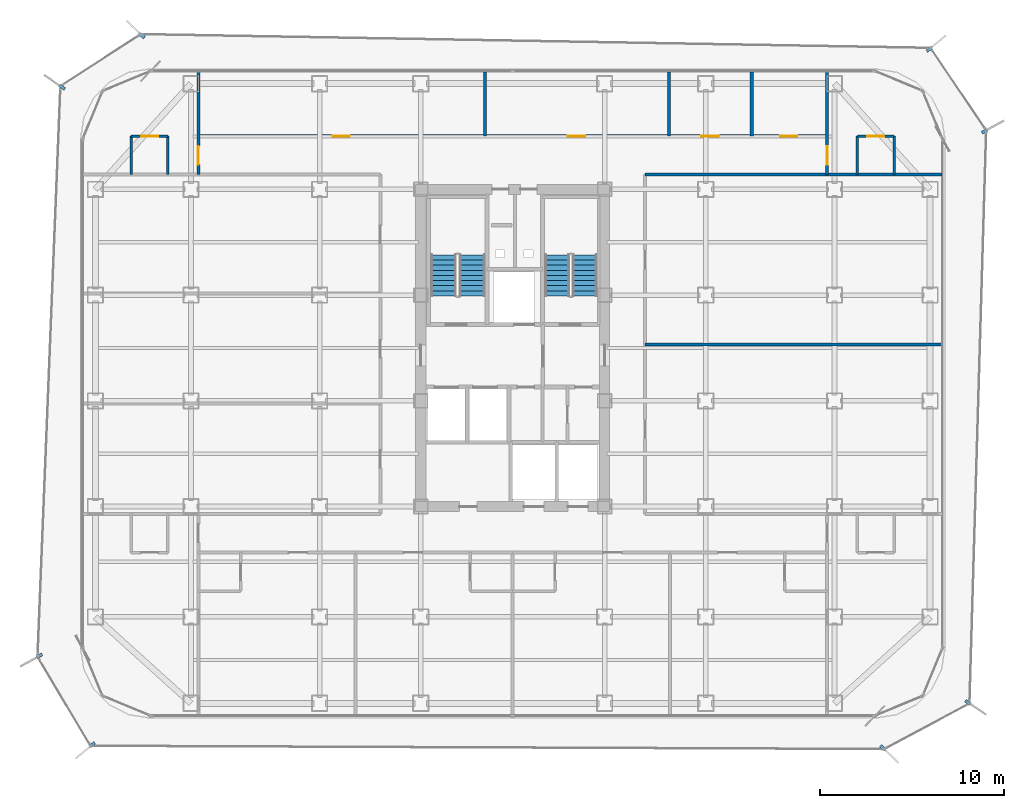
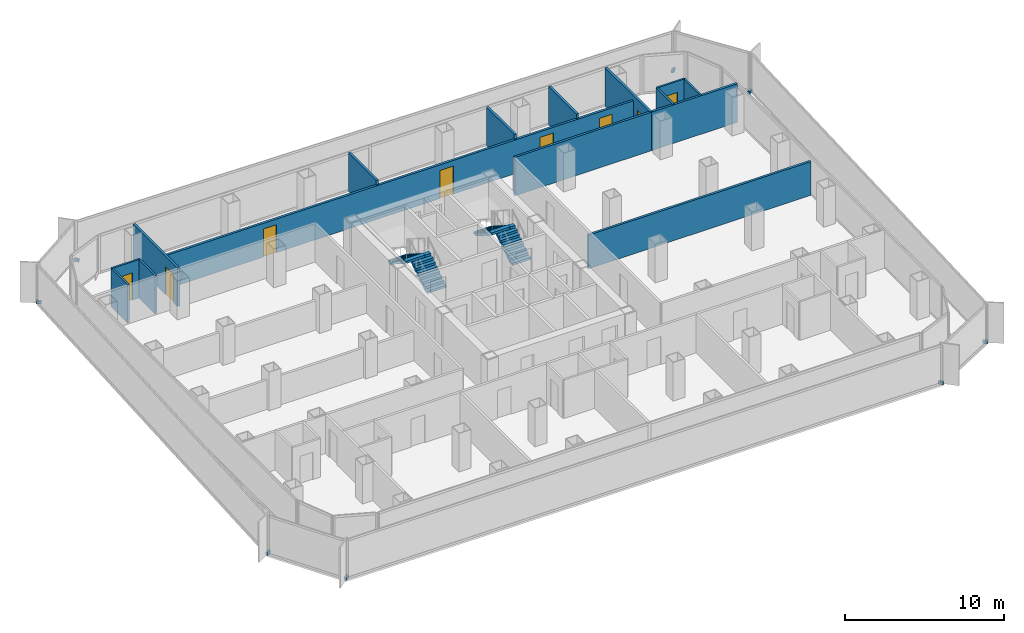
# One storey, part 18 of 21: 15 walls, 8 discrete accessories, 8 doors, 4 stair flights, 8 openings, 2 elements without a shape of their own.
"""IFC4 building model written with IfcOpenShell, lengths in metres."""

from ifc_helpers import new_model, si_unit, direction, frame, frame_2d, origin, origin_2d, place, context, subcontext, project, spatial, polyline, rectangle, outline, extrude, source, transform, mapped, material, layer, layer_set, type_object, element, fill, aggregate, save


model = new_model("IFC4")

# Units and contexts
model_context = context("Model", 3, precision=1e-05, world=origin(), true_north=direction((0.0, 1.0)))
body_context = subcontext(model_context, "Body", "Model", "MODEL_VIEW")
ifc_project = project(units=[si_unit("LENGTHUNIT", "METRE"), si_unit("AREAUNIT", "SQUARE_METRE"), si_unit("VOLUMEUNIT", "CUBIC_METRE"), si_unit("PLANEANGLEUNIT", "RADIAN"), si_unit("MASSUNIT", "GRAM", prefix="KILO")], contexts=[model_context])

# Site, building, storey
site_placement = place(None, origin())
site = spatial("IfcSite", under=ifc_project, at=site_placement, CompositionType="ELEMENT")
building_placement = place(site_placement, origin())
building = spatial("IfcBuilding", under=site, at=building_placement, Name="Kolveth Station Tower", CompositionType="ELEMENT")
storey_placement = place(building_placement, frame((0.0, 0.0, 108.699951171875)))
storey = spatial("IfcBuildingStorey", under=building, at=storey_placement, Name="L29", CompositionType="ELEMENT", Elevation=108.699951171875)

# Walls
ifc_material_1 = material(Name="Moisture-resistant gypsum partition")
ifc_layer_1 = layer(ifc_material_1, 0.135009765625)
ifc_layer_set_1 = layer_set([ifc_layer_1], Name="Moisture-resistant gypsum partition")
wall_type_1 = type_object("IfcWallType", Name="Wall_IW-135", PredefinedType="PARTITIONING", material=ifc_layer_set_1)
for number, where, z_axis, x_axis, name in (
    (1, (2.75, 29.550048828125, 0.0), (0.0, 0.0, 1.0), (0.0, 1.0, 0.0), "L29 Partition Wall WL-L29-WS2-BV1"),
    (2, (4.75, 29.550048828125, 0.0), (0.0, 0.0, 1.0), (0.0, 1.0, 0.0), "L29 Partition Wall WL-L29-WS2-BV2"),
):
    element("IfcWall", number, at=place(storey_placement, frame(where, z_axis=z_axis, x_axis=x_axis)), inside=storey, type_object=wall_type_1, Name=name, PredefinedType="PARTITIONING", context=body_context, shape_type="SweptSolid", body=[
        extrude(rectangle(XDim=2.099853515625, YDim=0.135009765625, at=frame_2d((1.0498046875, 0.0))), origin(), (0.0, 0.0, 1.0), 2.949951171875),
    ])

# Wall, opening, door
wall_1_placement = place(storey_placement, frame((2.75, 31.64990234375, 0.0), z_axis=(0.0, 0.0, 1.0), x_axis=(1.0, 0.0, 0.0)))
wall_1 = element("IfcWall", 3, at=wall_1_placement, inside=storey, type_object=wall_type_1, Name="L29 Partition Wall WL-L29-WS2-BH", PredefinedType="PARTITIONING", context=body_context, shape_type="SweptSolid", body=[
    extrude(rectangle(XDim=2.0, YDim=0.135009765625, at=frame_2d((1.0, 0.0))), origin(), (0.0, 0.0, 1.0), 2.949951171875),
])
opening_1_placement = place(wall_1_placement, frame((0.5400390625, 0.0, 0.0)))
opening_1 = element("IfcOpeningElement", 4, at=opening_1_placement, cuts=wall_1, Name="Opening ID2", PredefinedType="OPENING", context=body_context, shape_type="SweptSolid", body=[
    extrude(rectangle(XDim=0.919921875, YDim=2.10009765625, at=frame_2d((0.4599609375, 1.050048828125))), frame((0.0, 0.077392578125, 0.0), z_axis=(0.0, -1.0, 0.0), x_axis=(1.0, 0.0, 0.0)), (0.0, 0.0, 1.0), 0.155029296875),
])
ifc_material_2 = material(Name="Moisture-resistant hardwood leaf", Category="wood")
door_type_1 = type_object("IfcDoorType", Name="Door_ID2", OperationType="NOTDEFINED", PredefinedType="DOOR", material=ifc_material_2)
door_1_placement = place(opening_1_placement, frame((0.919921875, 0.0, 0.0), z_axis=(0.0, 0.0, 1.0), x_axis=(-1.0, 0.0, 0.0)))
door_1 = element("IfcDoor", 5, at=door_1_placement, inside=storey, type_object=door_type_1, Name="L29 Hotel Guest Room WS2 En-Suite Door", OperationType="SINGLE_SWING_RIGHT", OverallHeight=2.10009765625, OverallWidth=0.919921875, PredefinedType="DOOR", context=body_context, shape_type="SweptSolid", body=[
    extrude(rectangle(XDim=0.919921875, YDim=2.10009765625, at=frame_2d((0.4599609375, 1.050048828125))), frame((0.0, 0.02490234375, 0.0), z_axis=(0.0, -1.0, 0.0), x_axis=(1.0, 0.0, 0.0)), (0.0, 0.0, 1.0), 0.050048828125),
])
fill(opening_1, door_1)

# Walls
for number, where, z_axis, x_axis, name in (
    (6, (42.25, 29.550048828125, 0.0), (0.0, 0.0, 1.0), (0.0, 1.0, 0.0), "L29 Partition Wall WL-L29-ES2-BV1"),
    (7, (44.25, 29.550048828125, 0.0), (0.0, 0.0, 1.0), (0.0, 1.0, 0.0), "L29 Partition Wall WL-L29-ES2-BV2"),
):
    element("IfcWall", number, at=place(storey_placement, frame(where, z_axis=z_axis, x_axis=x_axis)), inside=storey, type_object=wall_type_1, Name=name, PredefinedType="PARTITIONING", context=body_context, shape_type="SweptSolid", body=[
        extrude(rectangle(XDim=2.099853515625, YDim=0.135009765625, at=frame_2d((1.0498046875, 0.0))), origin(), (0.0, 0.0, 1.0), 2.949951171875),
    ])

# Wall, opening, door
wall_2_placement = place(storey_placement, frame((42.25, 31.64990234375, 0.0), z_axis=(0.0, 0.0, 1.0), x_axis=(1.0, 0.0, 0.0)))
wall_2 = element("IfcWall", 8, at=wall_2_placement, inside=storey, type_object=wall_type_1, Name="L29 Partition Wall WL-L29-ES2-BH", PredefinedType="PARTITIONING", context=body_context, shape_type="SweptSolid", body=[
    extrude(rectangle(XDim=2.0, YDim=0.135009765625, at=frame_2d((1.0, 0.0))), origin(), (0.0, 0.0, 1.0), 2.949951171875),
])
opening_2_placement = place(wall_2_placement, frame((0.5400390625, 0.0, 0.0)))
opening_2 = element("IfcOpeningElement", 9, at=opening_2_placement, cuts=wall_2, Name="Opening ID2", PredefinedType="OPENING", context=body_context, shape_type="SweptSolid", body=[
    extrude(rectangle(XDim=0.919921875, YDim=2.10009765625, at=frame_2d((0.4599609375, 1.050048828125))), frame((0.0, 0.077392578125, 0.0), z_axis=(0.0, -1.0, 0.0), x_axis=(1.0, 0.0, 0.0)), (0.0, 0.0, 1.0), 0.155029296875),
])
door_2_placement = place(opening_2_placement, frame((0.919921875, 0.0, 0.0), z_axis=(0.0, 0.0, 1.0), x_axis=(-1.0, 0.0, 0.0)))
door_2 = element("IfcDoor", 10, at=door_2_placement, inside=storey, type_object=door_type_1, Name="L29 Hotel Guest Room ES2 En-Suite Door", OperationType="SINGLE_SWING_RIGHT", OverallHeight=2.10009765625, OverallWidth=0.919921875, PredefinedType="DOOR", context=body_context, shape_type="SweptSolid", body=[
    extrude(rectangle(XDim=0.919921875, YDim=2.10009765625, at=frame_2d((0.4599609375, 1.050048828125))), frame((0.0, 0.02490234375, 0.0), z_axis=(0.0, -1.0, 0.0), x_axis=(1.0, 0.0, 0.0)), (0.0, 0.0, 1.0), 0.050048828125),
])
fill(opening_2, door_2)

# Wall, openings, doors
ifc_material_3 = material(Name="Acoustic double-stud gypsum partition")
ifc_layer_2 = layer(ifc_material_3, 0.1650390625)
ifc_layer_set_2 = layer_set([ifc_layer_2], Name="Acoustic double-stud gypsum partition")
wall_type_2 = type_object("IfcWallType", Name="Wall_IW-165", PredefinedType="PARTITIONING", material=ifc_layer_set_2)
wall_3_placement = place(storey_placement, frame((6.39990234375, 31.64990234375, 0.0), z_axis=(0.0, 0.0, 1.0), x_axis=(1.0, 0.0, 0.0)))
wall_3 = element("IfcWall", 11, at=wall_3_placement, inside=storey, type_object=wall_type_2, Name="L29 Partition Wall WL-L29-HN", PredefinedType="PARTITIONING", context=body_context, shape_type="SweptSolid", body=[
    extrude(rectangle(XDim=34.2001953125, YDim=0.1650390625, at=frame_2d((17.10009765625, 0.0))), origin(), (0.0, 0.0, 1.0), 2.5830078125),
])
opening_3_placement = place(wall_3_placement, frame((7.300048828125, 0.0, 0.0)))
opening_3 = element("IfcOpeningElement", 12, at=opening_3_placement, cuts=wall_3, Name="Opening ID1", PredefinedType="OPENING", context=body_context, shape_type="SweptSolid", body=[
    extrude(rectangle(XDim=0.949951171875, YDim=2.14990234375, at=frame_2d((0.47509765625, 1.074951171875))), frame((0.0, 0.092529296875, 0.0), z_axis=(0.0, -1.0, 0.0), x_axis=(1.0, 0.0, 0.0)), (0.0, 0.0, 1.0), 0.18505859375),
])
opening_4_placement = place(wall_3_placement, frame((20.10009765625, 0.0, 0.0)))
opening_4 = element("IfcOpeningElement", 13, at=opening_4_placement, cuts=wall_3, Name="Opening ID1", PredefinedType="OPENING", context=body_context, shape_type="SweptSolid", body=[
    extrude(rectangle(XDim=0.949951171875, YDim=2.14990234375, at=frame_2d((0.47509765625, 1.074951171875))), frame((0.0, 0.092529296875, 0.0), z_axis=(0.0, -1.0, 0.0), x_axis=(1.0, 0.0, 0.0)), (0.0, 0.0, 1.0), 0.18505859375),
])
opening_5_placement = place(wall_3_placement, frame((27.35009765625, 0.0, 0.0)))
opening_5 = element("IfcOpeningElement", 14, at=opening_5_placement, cuts=wall_3, Name="Opening ID1", PredefinedType="OPENING", context=body_context, shape_type="SweptSolid", body=[
    extrude(rectangle(XDim=0.949951171875, YDim=2.14990234375, at=frame_2d((0.47509765625, 1.074951171875))), frame((0.0, 0.092529296875, 0.0), z_axis=(0.0, -1.0, 0.0), x_axis=(1.0, 0.0, 0.0)), (0.0, 0.0, 1.0), 0.18505859375),
])
opening_6_placement = place(wall_3_placement, frame((31.64990234375, 0.0, 0.0)))
opening_6 = element("IfcOpeningElement", 15, at=opening_6_placement, cuts=wall_3, Name="Opening ID2", PredefinedType="OPENING", context=body_context, shape_type="SweptSolid", body=[
    extrude(rectangle(XDim=0.919921875, YDim=2.10009765625, at=frame_2d((0.4599609375, 1.050048828125))), frame((0.0, 0.092529296875, 0.0), z_axis=(0.0, -1.0, 0.0), x_axis=(1.0, 0.0, 0.0)), (0.0, 0.0, 1.0), 0.18505859375),
])
ifc_material_4 = material(Name="Acoustic hardwood leaf and aluminium frame", Category="wood")
door_type_2 = type_object("IfcDoorType", Name="Door_ID1", OperationType="NOTDEFINED", PredefinedType="DOOR", material=ifc_material_4)
door_3_placement = place(opening_3_placement, origin())
door_3 = element("IfcDoor", 16, at=door_3_placement, inside=storey, type_object=door_type_2, Name="L29 North Sky Observation Lounge Door", OperationType="SINGLE_SWING_RIGHT", OverallHeight=2.14990234375, OverallWidth=0.949951171875, PredefinedType="DOOR", context=body_context, shape_type="SweptSolid", body=[
    extrude(rectangle(XDim=0.949951171875, YDim=2.14990234375, at=frame_2d((0.47509765625, 1.074951171875))), frame((0.0, 0.02490234375, 0.0), z_axis=(0.0, -1.0, 0.0), x_axis=(1.0, 0.0, 0.0)), (0.0, 0.0, 1.0), 0.050048828125),
])
fill(opening_3, door_3)
door_4_placement = place(opening_4_placement, origin())
door_4 = element("IfcDoor", 17, at=door_4_placement, inside=storey, type_object=door_type_2, Name="L29 Floor Service Pantry Door", OperationType="SINGLE_SWING_LEFT", OverallHeight=2.14990234375, OverallWidth=0.949951171875, PredefinedType="DOOR", context=body_context, shape_type="SweptSolid", body=[
    extrude(rectangle(XDim=0.949951171875, YDim=2.14990234375, at=frame_2d((0.47509765625, 1.074951171875))), frame((0.0, 0.02490234375, 0.0), z_axis=(0.0, -1.0, 0.0), x_axis=(1.0, 0.0, 0.0)), (0.0, 0.0, 1.0), 0.050048828125),
])
fill(opening_4, door_4)
door_5_placement = place(opening_5_placement, origin())
door_5 = element("IfcDoor", 18, at=door_5_placement, inside=storey, type_object=door_type_2, Name="L29 Reading Study Door", OperationType="SINGLE_SWING_LEFT", OverallHeight=2.14990234375, OverallWidth=0.949951171875, PredefinedType="DOOR", context=body_context, shape_type="SweptSolid", body=[
    extrude(rectangle(XDim=0.949951171875, YDim=2.14990234375, at=frame_2d((0.47509765625, 1.074951171875))), frame((0.0, 0.02490234375, 0.0), z_axis=(0.0, -1.0, 0.0), x_axis=(1.0, 0.0, 0.0)), (0.0, 0.0, 1.0), 0.050048828125),
])
fill(opening_5, door_5)
door_6_placement = place(opening_6_placement, origin())
door_6 = element("IfcDoor", 19, at=door_6_placement, inside=storey, type_object=door_type_1, Name="L29 Accessible Guest WC Door", OperationType="SINGLE_SWING_LEFT", OverallHeight=2.10009765625, OverallWidth=0.919921875, PredefinedType="DOOR", context=body_context, shape_type="SweptSolid", body=[
    extrude(rectangle(XDim=0.919921875, YDim=2.10009765625, at=frame_2d((0.4599609375, 1.050048828125))), frame((0.0, 0.02490234375, 0.0), z_axis=(0.0, -1.0, 0.0), x_axis=(1.0, 0.0, 0.0)), (0.0, 0.0, 1.0), 0.050048828125),
])
fill(opening_6, door_6)

# Wall
wall_4_placement = place(storey_placement, frame((30.699951171875, 29.550048828125, 0.0), z_axis=(0.0, 0.0, 1.0), x_axis=(1.0, 0.0, 0.0)))
element("IfcWall", 20, at=wall_4_placement, inside=storey, type_object=wall_type_2, Name="L29 Partition Wall WL-L29-HNEB", PredefinedType="PARTITIONING", context=body_context, shape_type="SweptSolid", body=[
    extrude(rectangle(XDim=9.900146484375, YDim=0.1650390625, at=frame_2d((4.9501953125, 0.0))), origin(), (0.0, 0.0, 1.0), 2.949951171875),
])

# Wall, opening, door
wall_5_placement = place(storey_placement, frame((6.39990234375, 29.550048828125, 0.0), z_axis=(0.0, 0.0, 1.0), x_axis=(0.0, 1.0, 0.0)))
wall_5 = element("IfcWall", 21, at=wall_5_placement, inside=storey, type_object=wall_type_2, Name="L29 Partition Wall WL-L29-END-WN", PredefinedType="PARTITIONING", context=body_context, shape_type="SweptSolid", body=[
    extrude(rectangle(XDim=5.58984375, YDim=0.1650390625, at=frame_2d((2.794921875, 0.0))), origin(), (0.0, 0.0, 1.0), 2.949951171875),
])
opening_7_placement = place(wall_5_placement, frame((0.550048828125, 0.0, 0.0)))
opening_7 = element("IfcOpeningElement", 22, at=opening_7_placement, cuts=wall_5, Name="Opening FD3", PredefinedType="OPENING", context=body_context, shape_type="SweptSolid", body=[
    extrude(rectangle(XDim=1.0, YDim=2.14990234375, at=frame_2d((0.5, 1.074951171875))), frame((0.0, 0.092529296875, 0.0), z_axis=(0.0, -1.0, 0.0), x_axis=(1.0, 0.0, 0.0)), (0.0, 0.0, 1.0), 0.18505859375),
])
ifc_material_5 = material(Name="Fire-rated hardwood leaf and aluminium frame", Category="wood")
door_type_3 = type_object("IfcDoorType", Name="Door_FD3", OperationType="NOTDEFINED", PredefinedType="DOOR", material=ifc_material_5)
door_7_placement = place(opening_7_placement, origin())
door_7 = element("IfcDoor", 23, at=door_7_placement, inside=storey, type_object=door_type_3, Name="L29 Hotel Guest Room WS2 Entrance Door", OperationType="SINGLE_SWING_LEFT", OverallHeight=2.14990234375, OverallWidth=1.0, PredefinedType="DOOR", context=body_context, shape_type="SweptSolid", body=[
    extrude(rectangle(XDim=1.0, YDim=2.14990234375, at=frame_2d((0.5, 1.074951171875))), frame((0.0, 0.02490234375, 0.0), z_axis=(0.0, -1.0, 0.0), x_axis=(1.0, 0.0, 0.0)), (0.0, 0.0, 1.0), 0.050048828125),
])
fill(opening_7, door_7)

wall_6_placement = place(storey_placement, frame((40.60009765625, 29.550048828125, 0.0), z_axis=(0.0, 0.0, 1.0), x_axis=(0.0, 1.0, 0.0)))
wall_6 = element("IfcWall", 24, at=wall_6_placement, inside=storey, type_object=wall_type_2, Name="L29 Partition Wall WL-L29-END-EN", PredefinedType="PARTITIONING", context=body_context, shape_type="SweptSolid", body=[
    extrude(rectangle(XDim=5.58984375, YDim=0.1650390625, at=frame_2d((2.794921875, 0.0))), origin(), (0.0, 0.0, 1.0), 2.949951171875),
])
opening_8_placement = place(wall_6_placement, frame((0.550048828125, 0.0, 0.0)))
opening_8 = element("IfcOpeningElement", 25, at=opening_8_placement, cuts=wall_6, Name="Opening FD3", PredefinedType="OPENING", context=body_context, shape_type="SweptSolid", body=[
    extrude(rectangle(XDim=1.0, YDim=2.14990234375, at=frame_2d((0.5, 1.074951171875))), frame((0.0, 0.092529296875, 0.0), z_axis=(0.0, -1.0, 0.0), x_axis=(1.0, 0.0, 0.0)), (0.0, 0.0, 1.0), 0.18505859375),
])
door_8_placement = place(opening_8_placement, frame((1.0, 0.0, 0.0), z_axis=(0.0, 0.0, 1.0), x_axis=(-1.0, 0.0, 0.0)))
door_8 = element("IfcDoor", 26, at=door_8_placement, inside=storey, type_object=door_type_3, Name="L29 Hotel Guest Room ES2 Entrance Door", OperationType="SINGLE_SWING_LEFT", OverallHeight=2.14990234375, OverallWidth=1.0, PredefinedType="DOOR", context=body_context, shape_type="SweptSolid", body=[
    extrude(rectangle(XDim=1.0, YDim=2.14990234375, at=frame_2d((0.5, 1.074951171875))), frame((0.0, 0.02490234375, 0.0), z_axis=(0.0, -1.0, 0.0), x_axis=(1.0, 0.0, 0.0)), (0.0, 0.0, 1.0), 0.050048828125),
])
fill(opening_8, door_8)

# Walls
wall_7_placement = place(storey_placement, frame((40.60009765625, 29.550048828125, 0.0), z_axis=(0.0, 0.0, 1.0), x_axis=(1.0, 0.0, 0.0)))
element("IfcWall", 27, at=wall_7_placement, inside=storey, type_object=wall_type_2, Name="L29 Partition Wall WL-L29-EM2", PredefinedType="PARTITIONING", context=body_context, shape_type="SweptSolid", body=[
    extrude(rectangle(XDim=6.239990234375, YDim=0.1650390625, at=frame_2d((3.1201171875, 0.0))), origin(), (0.0, 0.0, 1.0), 2.949951171875),
])
for number, where, z_axis, x_axis, name in (
    (28, (22.0, 31.64990234375, 0.0), (0.0, 0.0, 1.0), (0.0, 1.0, 0.0), "L29 Partition Wall WL-L29-HN-P1"),
    (29, (32.0, 31.64990234375, 0.0), (0.0, 0.0, 1.0), (0.0, 1.0, 0.0), "L29 Partition Wall WL-L29-HN-P2"),
    (30, (36.5, 31.64990234375, 0.0), (0.0, 0.0, 1.0), (0.0, 1.0, 0.0), "L29 Partition Wall WL-L29-HN-P3"),
):
    element("IfcWall", number, at=place(storey_placement, frame(where, z_axis=z_axis, x_axis=x_axis)), inside=storey, type_object=wall_type_2, Name=name, PredefinedType="PARTITIONING", context=body_context, shape_type="SweptSolid", body=[
        extrude(rectangle(XDim=3.489990234375, YDim=0.1650390625, at=frame_2d((1.7451171875, 0.0))), origin(), (0.0, 0.0, 1.0), 2.949951171875),
    ])
wall_8_placement = place(storey_placement, frame((30.699951171875, 20.324951171875, 0.0), z_axis=(0.0, 0.0, 1.0), x_axis=(1.0, 0.0, 0.0)))
element("IfcWall", 31, at=wall_8_placement, inside=storey, type_object=wall_type_2, Name="L29 Partition Wall WL-L29-HME-P1", PredefinedType="PARTITIONING", context=body_context, shape_type="SweptSolid", body=[
    extrude(rectangle(XDim=16.14013671875, YDim=0.1650390625, at=frame_2d((8.070068359375, 0.0))), origin(), (0.0, 0.0, 1.0), 2.5830078125),
])

# Stair, stair flights
ifc_material_6 = material(Name="Concrete C40/50", Category="concrete")
stair_type_1 = type_object("IfcStairType", Name="Stair_ST1", PredefinedType="HALF_TURN_STAIR", material=ifc_material_6)
stair_1_placement = place(storey_placement, origin())
stair_1 = element("IfcStair", 32, at=stair_1_placement, inside=storey, type_object=stair_type_1, Name="L29 Tower Exit Stair ST1", PredefinedType="HALF_TURN_STAIR")
ifc_layer_3 = layer(ifc_material_6, 0.179931640625)
ifc_layer_set_3 = layer_set([ifc_layer_3], Name="Concrete C40/50")
stair_flight_type_1 = type_object("IfcStairFlightType", Name="Flight_ST1", PredefinedType="STRAIGHT", material=ifc_layer_set_3)
stair_flight_1_placement = place(storey_placement, frame((21.300048828125, 22.949951171875, 0.0), z_axis=(0.0, 0.0, 1.0), x_axis=(0.0, 1.0, 0.0)))
stair_flight_1 = element("IfcStairFlight", 33, at=stair_flight_1_placement, type_object=stair_flight_type_1, Name="ST1 flight 1", NumberOfRisers=9, NumberOfTreads=8, PredefinedType="STRAIGHT", RiserHeight=0.177777778, TreadLength=0.28, context=body_context, shape_type="SweptSolid", body=[
    extrude(outline(polyline([(0.0, 0.0), (0.0, 0.177734375), (0.280029296875, 0.177734375), (0.280029296875, 0.35546875), (0.56005859375, 0.35546875), (0.56005859375, 0.533447265625), (0.840087890625, 0.533447265625), (0.840087890625, 0.711181640625), (1.1201171875, 0.711181640625), (1.1201171875, 0.888916015625), (1.39990234375, 0.888916015625), (1.39990234375, 1.066650390625), (1.679931640625, 1.066650390625), (1.679931640625, 1.244384765625), (1.9599609375, 1.244384765625), (1.9599609375, 1.422119140625), (2.239990234375, 1.422119140625), (2.239990234375, 1.60009765625), (2.239990234375, 1.24462890625), (0.27978515625, 0.0), (0.0, 0.0)])), frame((0.0, 0.699951171875, 0.0), z_axis=(0.0, -1.0, 0.0), x_axis=(1.0, 0.0, 0.0)), (0.0, 0.0, 1.0), 1.39990234375),
])
stair_flight_2_placement = place(storey_placement, frame((19.739990234375, 25.18994140625, 1.60009765625), z_axis=(0.0, 0.0, 1.0), x_axis=(0.0, -1.0, 0.0)))
stair_flight_2 = element("IfcStairFlight", 34, at=stair_flight_2_placement, type_object=stair_flight_type_1, Name="ST1 flight 2", NumberOfRisers=9, NumberOfTreads=8, PredefinedType="STRAIGHT", RiserHeight=0.177777778, TreadLength=0.28, context=body_context, shape_type="SweptSolid", body=[
    extrude(outline(polyline([(0.0, 0.0), (0.0, 0.177734375), (0.280029296875, 0.177734375), (0.280029296875, 0.35546875), (0.56005859375, 0.35546875), (0.56005859375, 0.533447265625), (0.840087890625, 0.533447265625), (0.840087890625, 0.711181640625), (1.1201171875, 0.711181640625), (1.1201171875, 0.888916015625), (1.39990234375, 0.888916015625), (1.39990234375, 1.066650390625), (1.679931640625, 1.066650390625), (1.679931640625, 1.244384765625), (1.9599609375, 1.244384765625), (1.9599609375, 1.422119140625), (2.239990234375, 1.422119140625), (2.239990234375, 1.60009765625), (2.239990234375, 1.24462890625), (0.27978515625, 0.0), (0.0, 0.0)])), frame((0.0, 0.699951171875, 0.0), z_axis=(0.0, -1.0, 0.0), x_axis=(1.0, 0.0, 0.0)), (0.0, 0.0, 1.0), 1.39990234375),
])
aggregate(stair_1, [stair_flight_1, stair_flight_2])

stair_type_2 = type_object("IfcStairType", Name="Stair_ST2", PredefinedType="HALF_TURN_STAIR", material=ifc_material_6)
stair_2_placement = place(storey_placement, origin())
stair_2 = element("IfcStair", 35, at=stair_2_placement, inside=storey, type_object=stair_type_2, Name="L29 Tower Exit Stair ST2", PredefinedType="HALF_TURN_STAIR")
ifc_layer_4 = layer(ifc_material_6, 0.179931640625)
ifc_layer_set_4 = layer_set([ifc_layer_4], Name="Concrete C40/50")
stair_flight_type_2 = type_object("IfcStairFlightType", Name="Flight_ST2", PredefinedType="STRAIGHT", material=ifc_layer_set_4)
stair_flight_3_placement = place(storey_placement, frame((27.425048828125, 22.949951171875, 0.0), z_axis=(0.0, 0.0, 1.0), x_axis=(0.0, 1.0, 0.0)))
stair_flight_3 = element("IfcStairFlight", 36, at=stair_flight_3_placement, type_object=stair_flight_type_2, Name="ST2 flight 1", NumberOfRisers=9, NumberOfTreads=8, PredefinedType="STRAIGHT", RiserHeight=0.177777778, TreadLength=0.28, context=body_context, shape_type="SweptSolid", body=[
    extrude(outline(polyline([(0.0, 0.0), (0.0, 0.177734375), (0.280029296875, 0.177734375), (0.280029296875, 0.35546875), (0.56005859375, 0.35546875), (0.56005859375, 0.533447265625), (0.840087890625, 0.533447265625), (0.840087890625, 0.711181640625), (1.1201171875, 0.711181640625), (1.1201171875, 0.888916015625), (1.39990234375, 0.888916015625), (1.39990234375, 1.066650390625), (1.679931640625, 1.066650390625), (1.679931640625, 1.244384765625), (1.9599609375, 1.244384765625), (1.9599609375, 1.422119140625), (2.239990234375, 1.422119140625), (2.239990234375, 1.60009765625), (2.239990234375, 1.24462890625), (0.27978515625, 0.0), (0.0, 0.0)])), frame((0.0, 0.675048828125, 0.0), z_axis=(0.0, -1.0, 0.0), x_axis=(1.0, 0.0, 0.0)), (0.0, 0.0, 1.0), 1.35009765625),
])
stair_flight_4_placement = place(storey_placement, frame((25.9150390625, 25.18994140625, 1.60009765625), z_axis=(0.0, 0.0, 1.0), x_axis=(0.0, -1.0, 0.0)))
stair_flight_4 = element("IfcStairFlight", 37, at=stair_flight_4_placement, type_object=stair_flight_type_2, Name="ST2 flight 2", NumberOfRisers=9, NumberOfTreads=8, PredefinedType="STRAIGHT", RiserHeight=0.177777778, TreadLength=0.28, context=body_context, shape_type="SweptSolid", body=[
    extrude(outline(polyline([(0.0, 0.0), (0.0, 0.177734375), (0.280029296875, 0.177734375), (0.280029296875, 0.35546875), (0.56005859375, 0.35546875), (0.56005859375, 0.533447265625), (0.840087890625, 0.533447265625), (0.840087890625, 0.711181640625), (1.1201171875, 0.711181640625), (1.1201171875, 0.888916015625), (1.39990234375, 0.888916015625), (1.39990234375, 1.066650390625), (1.679931640625, 1.066650390625), (1.679931640625, 1.244384765625), (1.9599609375, 1.244384765625), (1.9599609375, 1.422119140625), (2.239990234375, 1.422119140625), (2.239990234375, 1.60009765625), (2.239990234375, 1.24462890625), (0.27978515625, 0.0), (0.0, 0.0)])), frame((0.0, 0.675048828125, 0.0), z_axis=(0.0, -1.0, 0.0), x_axis=(1.0, 0.0, 0.0)), (0.0, 0.0, 1.0), 1.35009765625),
])
aggregate(stair_2, [stair_flight_3, stair_flight_4])

# Discrete accessories
ifc_material_7 = material(Name="Steel S355", Category="steel")
discrete_accessory_type = type_object("IfcDiscreteAccessoryType", Name="Bracket_BK1", PredefinedType="BRACKET", material=ifc_material_7)
shared_shape = source(origin(), body_context, "Body", "SweptSolid", [
    extrude(rectangle(XDim=0.35009765625, YDim=0.159912109375, at=origin_2d()), origin(), (0.0, 0.0, 1.0), 0.219970703125),
])
for number, where, z_axis, x_axis, name in (
    (38, (43.635009765625, -1.6259765625, -0.06005859375), (0.0, 0.0, 1.0), (0.72236396206, -0.691513055782, 0.0), "L29 Double-Skin Radial Tie Bracket 1"),
    (39, (48.26611328125, 0.845947265625, -0.06005859375), (0.0, 0.0, 1.0), (0.827472780913, -0.561505829755, 0.0), "L29 Double-Skin Radial Tie Bracket 2"),
    (40, (49.169921875, 31.916015625, -0.06005859375), (0.0, 0.0, 1.0), (0.874111536221, 0.485725253868, 0.0), "L29 Double-Skin Radial Tie Bracket 3"),
    (41, (46.156005859375, 36.375, -0.06005859375), (0.0, 0.0, 1.0), (0.770846891561, 0.6370204626, 0.0), "L29 Double-Skin Radial Tie Bracket 4"),
    (42, (3.341064453125, 37.114013671875, -0.06005859375), (0.0, 0.0, 1.0), (-0.719339800339, 0.694658370459, 0.0), "L29 Double-Skin Radial Tie Bracket 5"),
    (43, (-1.008056640625, 34.304931640625, -0.06005859375), (0.0, 0.0, 1.0), (-0.827080574275, 0.562083377852, 0.0), "L29 Double-Skin Radial Tie Bracket 6"),
    (44, (-2.248046875, 3.375, -0.06005859375), (0.0, 0.0, 1.0), (-0.874535078577, -0.484962262797, 0.0), "L29 Double-Skin Radial Tie Bracket 7"),
    (45, (0.626953125, -1.4541015625, -0.06005859375), (0.0, 0.0, 1.0), (-0.76750090888, -0.641047856925, 0.0), "L29 Double-Skin Radial Tie Bracket 8"),
):
    element("IfcDiscreteAccessory", number, at=place(storey_placement, frame(where, z_axis=z_axis, x_axis=x_axis)), inside=storey, type_object=discrete_accessory_type, Name=name, PredefinedType="BRACKET", context=body_context, shape_type="MappedRepresentation", body=[
        mapped(shared_shape, transform((0.0, 0.0, 0.0), x_axis=(1.0, 0.0, 0.0), y_axis=(0.0, 1.0, 0.0), z_axis=(0.0, 0.0, 1.0), scale=1.0)),
    ])

save(model, "model.ifc")
